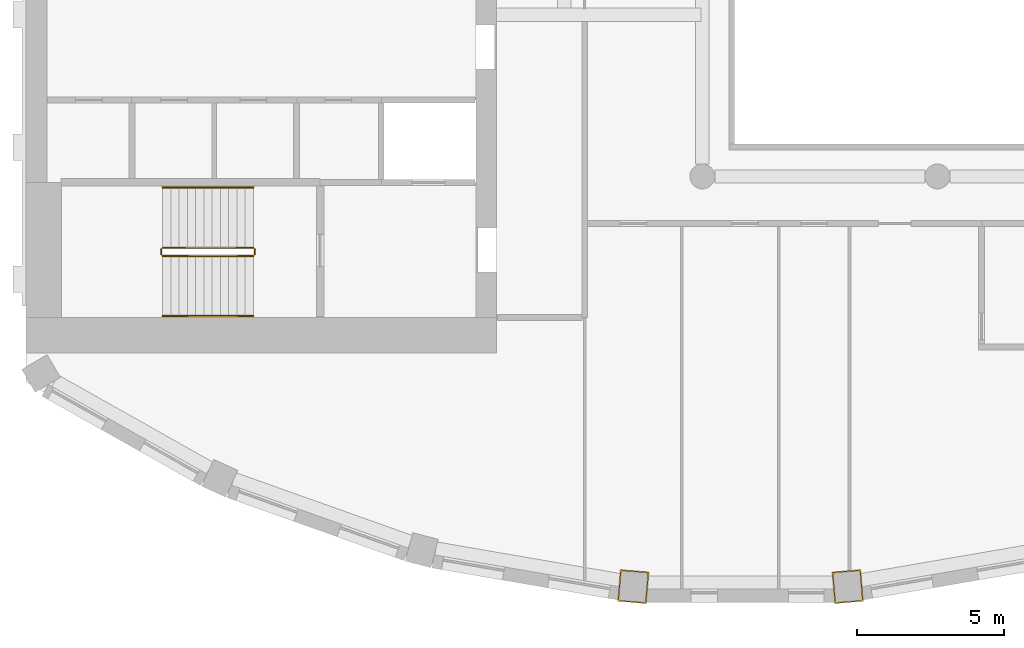
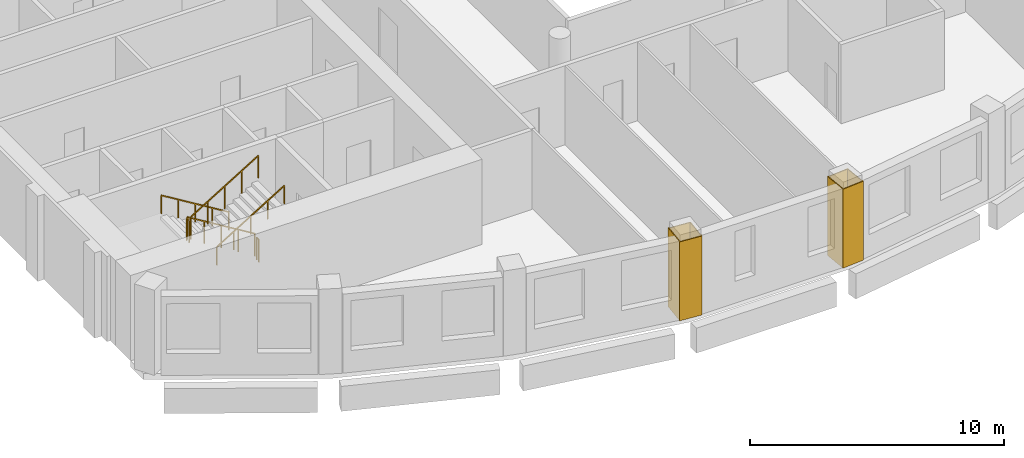
# One storey, part 10 of 14: 6 railings, 2 coverings.
"""IFC4 building model written with IfcOpenShell, lengths in metres."""

import ifcopenshell
import ifcopenshell.guid

model = None  # the IFC model being written
_history = None  # IfcOwnerHistory: only IFC2X3 demands one
_inside = {}  # id of a spatial element -> (the spatial element, [elements in it])
_under = {}  # id of a project, library or spatial element -> (it, [spatial elements below it])
_declared = {}  # id of a project -> (the project, [libraries it declares])
_typed = {}  # id of a type object -> (the type object, [elements of that type])
_made_of = {}  # id of a material, layer set ... -> (it, [elements and type objects made of it])


def new_model(schema):
    """Start an empty IFC model of exactly this schema.

    Asked for "IFC4X3", IfcOpenShell would pick the latest addendum, in which some entities
    have other attributes; the version numbers below select the first issue.
    IFC2X3 requires an IfcOwnerHistory on every rooted entity: one is made here for all.
    """
    global model, _history
    if schema == "IFC4X3":
        model = ifcopenshell.file(schema_version=(4, 3, 0, 0))
    else:
        model = ifcopenshell.file(schema=schema)
    _inside.clear()
    _under.clear()
    _declared.clear()
    _typed.clear()
    _made_of.clear()
    _history = None
    if model.schema == "IFC2X3":
        org = make("IfcOrganization", Name="unknown")
        user = make(
            "IfcPersonAndOrganization",
            ThePerson=make("IfcPerson", FamilyName="unknown"),
            TheOrganization=org,
        )
        app = make(
            "IfcApplication",
            ApplicationDeveloper=org,
            Version="unknown",
            ApplicationFullName="unknown",
            ApplicationIdentifier="unknown",
        )
        _history = make(
            "IfcOwnerHistory",
            OwningUser=user,
            OwningApplication=app,
            ChangeAction="ADDED",
            CreationDate=0,
        )
    return model


def make(cls, **values):
    """One entity of the class cls with the attributes given. An attribute that is None is left unset."""
    return model.create_entity(
        cls, **{name: value for name, value in values.items() if value is not None}
    )


def rooted(cls, **values):
    """An entity with a GlobalId (a new one), such as an element, a storey or a relation."""
    return make(cls, GlobalId=ifcopenshell.guid.new(), OwnerHistory=_history, **values)


def si_unit(unit_type, name, prefix=None):
    """IfcSIUnit, for example si_unit("LENGTHUNIT", "METRE", prefix="MILLI")."""
    return make("IfcSIUnit", UnitType=unit_type, Prefix=prefix, Name=name)


def assignment(units):
    """IfcUnitAssignment: the units of a project."""
    return None if units is None else make("IfcUnitAssignment", Units=units)


def point(xyz):
    """IfcCartesianPoint."""
    return None if xyz is None else make("IfcCartesianPoint", Coordinates=xyz)


def direction(xyz):
    """IfcDirection."""
    return None if xyz is None else make("IfcDirection", DirectionRatios=xyz)


def frame(location, z_axis=None, x_axis=None):
    """IfcAxis2Placement3D, a coordinate frame: its origin and axes. An axis left out is left unset."""
    return make(
        "IfcAxis2Placement3D",
        Location=point(location),
        Axis=direction(z_axis),
        RefDirection=direction(x_axis),
    )


def frame_2d(location, x_axis=None):
    """IfcAxis2Placement2D, a coordinate frame in the plane: its origin and x axis."""
    return make(
        "IfcAxis2Placement2D", Location=point(location), RefDirection=direction(x_axis)
    )


def origin():
    """The frame at (0, 0, 0) with its axes left unset."""
    return frame((0.0, 0.0, 0.0))


def origin_2d():
    """The frame at (0, 0) in the plane with its x axis left unset."""
    return frame_2d((0.0, 0.0))


def place(relative_to, where):
    """IfcLocalPlacement: puts the frame where relative to a parent placement (None: the world)."""
    return make(
        "IfcLocalPlacement", PlacementRelTo=relative_to, RelativePlacement=where
    )


def context(
    kind, dimensions, precision=None, world=None, true_north=None, identifier=None
):
    """IfcGeometricRepresentationContext, for example the 3D "Model" context."""
    return make(
        "IfcGeometricRepresentationContext",
        ContextIdentifier=identifier,
        ContextType=kind,
        CoordinateSpaceDimension=dimensions,
        Precision=precision,
        WorldCoordinateSystem=world,
        TrueNorth=true_north,
    )


def subcontext(parent, identifier, kind, view, scale=None):
    """IfcGeometricRepresentationSubContext, for example "Body" below "Model"."""
    return make(
        "IfcGeometricRepresentationSubContext",
        ContextIdentifier=identifier,
        ContextType=kind,
        ParentContext=parent,
        TargetScale=scale,
        TargetView=view,
    )


def project(units=None, contexts=None):
    """IfcProject with its units and contexts."""
    return rooted(
        "IfcProject",
        Name="project",
        RepresentationContexts=contexts,
        UnitsInContext=assignment(units),
    )


def spatial(cls, under=None, at=None, **own):
    """A site, building, storey or space (cls), placed at a placement, below another one or the project."""
    s = rooted(cls, ObjectPlacement=at, **own)
    if under is not None:
        _under.setdefault(under.id(), (under, []))[1].append(s)
    return s


def polyline(points):
    """IfcPolyline through the points."""
    return make("IfcPolyline", Points=[point(p) for p in points])


def profile(cls, at=None, kind="AREA", **sizes):
    """A parametric profile (cls). Its sizes go by their IFC names, for example OverallWidth=200.0."""
    return make(cls, ProfileType=kind, Position=at, **sizes)


def rectangle(**sizes):
    """IfcRectangleProfileDef."""
    return profile("IfcRectangleProfileDef", **sizes)


def outline(outer, holes=None, kind="AREA"):
    """IfcArbitraryClosedProfileDef: a profile drawn as a closed curve; with holes, ...WithVoids."""
    if holes is None:
        return make("IfcArbitraryClosedProfileDef", ProfileType=kind, OuterCurve=outer)
    return make(
        "IfcArbitraryProfileDefWithVoids",
        ProfileType=kind,
        OuterCurve=outer,
        InnerCurves=holes,
    )


def extrude(swept, where, along, depth):
    """IfcExtrudedAreaSolid: the profile swept, set in the frame where, extruded along a direction by depth."""
    return make(
        "IfcExtrudedAreaSolid",
        SweptArea=swept,
        Position=where,
        ExtrudedDirection=direction(along),
        Depth=depth,
    )


def shape(context_of_items, identifier, shape_type, items):
    """IfcShapeRepresentation: the items that make up one representation, for example the "Body"."""
    return make(
        "IfcShapeRepresentation",
        ContextOfItems=context_of_items,
        RepresentationIdentifier=identifier,
        RepresentationType=shape_type,
        Items=items,
    )


def material(Name=None, Category=None):
    """IfcMaterial."""
    return make("IfcMaterial", Name=Name, Category=Category)


def layer(
    of_material, thickness, ventilated=None, Name=None, Category=None, Priority=None
):
    """IfcMaterialLayer: one layer of a wall or slab, of a material (None: an air gap)."""
    return make(
        "IfcMaterialLayer",
        Material=of_material,
        LayerThickness=thickness,
        IsVentilated=ventilated,
        Name=Name,
        Category=Category,
        Priority=Priority,
    )


def layer_set(layers, Name=None):
    """IfcMaterialLayerSet."""
    return make("IfcMaterialLayerSet", MaterialLayers=layers, LayerSetName=Name)


def made_of(thing, what):
    """Note that an element or type object is made of a material, layer set ...; save() writes the relation."""
    if what is not None:
        _made_of.setdefault(what.id(), (what, []))[1].append(thing)
    return thing


def type_object(cls, material=None, **own):
    """A type object (cls), such as IfcWallType, which elements share."""
    return made_of(rooted(cls, **own), material)


def element(
    cls,
    number,
    at=None,
    inside=None,
    cuts=None,
    type_object=None,
    material=None,
    context=None,
    identifier="Body",
    shape_type=None,
    held_by="IfcProductDefinitionShape",
    body=None,
    shapes=None,
    **own,
):
    """One element of the class cls, such as IfcWall. Its Tag is "e" and its number.

    at: its placement. inside: the storey or other place that contains it. cuts: it is an
    opening in that element (IfcRelVoidsElement). A single representation is given by context,
    identifier, shape_type and body (its items); several are given by shapes. held_by: the class
    of the entity that holds the representations. save() writes the other relations.
    """
    e = rooted(cls, Tag="e%d" % number, ObjectPlacement=at, **own)
    if body is not None:
        shapes = [shape(context, identifier, shape_type, body)]
    if shapes is not None:
        e.Representation = make(held_by, Representations=shapes)
    if inside is not None:
        _inside.setdefault(inside.id(), (inside, []))[1].append(e)
    if cuts is not None:
        rooted(
            "IfcRelVoidsElement", RelatingBuildingElement=cuts, RelatedOpeningElement=e
        )
    if type_object is not None:
        _typed.setdefault(type_object.id(), (type_object, []))[1].append(e)
    return made_of(e, material)


def aggregate(whole, parts):
    """IfcRelAggregates: a whole, such as a stair, and the parts it consists of."""
    return rooted("IfcRelAggregates", RelatingObject=whole, RelatedObjects=parts)


def save(model, path):
    """Write the relations noted so far, then the file.

    IfcRelAggregates (storeys below a building ...), IfcRelContainedInSpatialStructure (elements
    in a storey), IfcRelDefinesByType, IfcRelAssociatesMaterial and IfcRelDeclares: one each for
    every whole, place, type object, material and project.
    """
    for whole, parts in _under.values():
        aggregate(whole, parts)
    for where, things in _inside.values():
        rooted(
            "IfcRelContainedInSpatialStructure",
            RelatedElements=things,
            RelatingStructure=where,
        )
    for kind, things in _typed.values():
        rooted("IfcRelDefinesByType", RelatedObjects=things, RelatingType=kind)
    for what, things in _made_of.values():
        rooted("IfcRelAssociatesMaterial", RelatedObjects=things, RelatingMaterial=what)
    for by, libraries in _declared.values():
        rooted("IfcRelDeclares", RelatingContext=by, RelatedDefinitions=libraries)
    model.write(path)


model = new_model("IFC4")

# Units and contexts
model_context = context("Model", 3, precision=1e-05, world=origin(), true_north=direction((0.0, 1.0)))
body_context = subcontext(model_context, "Body", "Model", "MODEL_VIEW")
ifc_project = project(units=[si_unit("LENGTHUNIT", "METRE"), si_unit("AREAUNIT", "SQUARE_METRE"), si_unit("VOLUMEUNIT", "CUBIC_METRE"), si_unit("PLANEANGLEUNIT", "RADIAN"), si_unit("MASSUNIT", "GRAM", prefix="KILO")], contexts=[model_context])

# Site, building, storey
site_placement = place(None, origin())
site = spatial("IfcSite", under=ifc_project, at=site_placement, CompositionType="ELEMENT")
building_placement = place(site_placement, origin())
building = spatial("IfcBuilding", under=site, at=building_placement, Name="Cypress Arch Tower", CompositionType="ELEMENT")
storey_placement = place(building_placement, frame((0.0, 0.0, 300.800048828125)))
storey = spatial("IfcBuildingStorey", under=building, at=storey_placement, Name="L68", CompositionType="ELEMENT", Elevation=300.800048828125)

# Coverings
ifc_material_1 = material(Name="Painted plasterboard column casing")
ifc_layer = layer(ifc_material_1, 0.0400390625)
ifc_layer_set = layer_set([ifc_layer], Name="Column casing CK40")
covering_type = type_object("IfcCoveringType", Name="Column casing CK40", PredefinedType="CLADDING", material=ifc_layer_set)
covering_1_placement = place(storey_placement, origin())
element("IfcCovering", 1, at=covering_1_placement, inside=storey, type_object=covering_type, Name="Column casing L68 CC14", PredefinedType="CLADDING", context=body_context, shape_type="SweptSolid", body=[
    extrude(outline(polyline([(-9.881103515625, -24.44970703125), (-9.789306640625, -23.373779296875), (-8.812744140625, -23.457275390625), (-8.90478515625, -24.533203125), (-9.881103515625, -24.44970703125)]), holes=[polyline([(-9.837890625, -24.413330078125), (-8.941162109375, -24.489990234375), (-8.85595703125, -23.49365234375), (-9.752685546875, -23.4169921875), (-9.837890625, -24.413330078125)])]), origin(), (0.0, 0.0, 1.0), 3.800048828125),
])
covering_2_placement = place(storey_placement, origin())
element("IfcCovering", 2, at=covering_2_placement, inside=storey, type_object=covering_type, Name="Column casing L68 CC15", PredefinedType="CLADDING", context=body_context, shape_type="SweptSolid", body=[
    extrude(outline(polyline([(-2.495361328125, -24.533203125), (-2.587158203125, -23.457275390625), (-1.61083984375, -23.373779296875), (-1.518798828125, -24.44970703125), (-2.495361328125, -24.533203125)]), holes=[polyline([(-2.458740234375, -24.489990234375), (-1.56201171875, -24.413330078125), (-1.647216796875, -23.4169921875), (-2.5439453125, -23.49365234375), (-2.458740234375, -24.489990234375)])]), origin(), (0.0, 0.0, 1.0), 3.800048828125),
])

# Railings
ifc_material_2 = material(Name="Black powder-coated steel square bar 48 mm", Category="steel")
railing_type_1 = type_object("IfcRailingType", Name="Stair handrail HR1", PredefinedType="HANDRAIL", material=ifc_material_2)
railing_1_placement = place(storey_placement, frame((-22.27490234375, -10.375, 0.1708984375)))
element("IfcRailing", 3, at=railing_1_placement, inside=storey, type_object=railing_type_1, Name="L68 A stair handrail 1", PredefinedType="HANDRAIL", context=body_context, shape_type="SweptSolid", body=[
    extrude(rectangle(XDim=0.048095703125, YDim=0.048095703125, at=origin_2d()), frame((0.0, 0.0, 0.8759765625), z_axis=(-0.853666305674, 0.0, 0.52082035152), x_axis=(0.0, -1.0, 0.0)), (0.0, 0.0, 1.0), 3.608154296875),
    extrude(rectangle(XDim=0.0419921875, YDim=0.0419921875, at=origin_2d()), origin(), (0.0, 0.0, 1.0), 0.851806640625),
    extrude(rectangle(XDim=0.0419921875, YDim=0.0419921875, at=origin_2d()), frame((-0.77001953125, 0.0, 0.4697265625)), (0.0, 0.0, 1.0), 0.851806640625),
    extrude(rectangle(XDim=0.0419921875, YDim=0.0419921875, at=origin_2d()), frame((-1.5400390625, 0.0, 0.939453125)), (0.0, 0.0, 1.0), 0.851806640625),
    extrude(rectangle(XDim=0.0419921875, YDim=0.0419921875, at=origin_2d()), frame((-2.31005859375, 0.0, 1.409423828125)), (0.0, 0.0, 1.0), 0.851806640625),
    extrude(rectangle(XDim=0.0419921875, YDim=0.0419921875, at=origin_2d()), frame((-3.080078125, 0.0, 1.879150390625)), (0.0, 0.0, 1.0), 0.851806640625),
])
railing_2_placement = place(storey_placement, frame((-25.35498046875, -14.75, 2.220703125)))
element("IfcRailing", 4, at=railing_2_placement, inside=storey, type_object=railing_type_1, Name="L68 A stair handrail 2", PredefinedType="HANDRAIL", context=body_context, shape_type="SweptSolid", body=[
    extrude(rectangle(XDim=0.048095703125, YDim=0.048095703125, at=origin_2d()), frame((0.0, 0.0, 0.8759765625), z_axis=(0.853666305674, 0.0, 0.52082035152), x_axis=(0.0, 1.0, 0.0)), (0.0, 0.0, 1.0), 3.608154296875),
    extrude(rectangle(XDim=0.0419921875, YDim=0.0419921875, at=origin_2d()), origin(), (0.0, 0.0, 1.0), 0.851806640625),
    extrude(rectangle(XDim=0.0419921875, YDim=0.0419921875, at=origin_2d()), frame((0.77001953125, 0.0, 0.4697265625)), (0.0, 0.0, 1.0), 0.851806640625),
    extrude(rectangle(XDim=0.0419921875, YDim=0.0419921875, at=origin_2d()), frame((1.5400390625, 0.0, 0.939453125)), (0.0, 0.0, 1.0), 0.851806640625),
    extrude(rectangle(XDim=0.0419921875, YDim=0.0419921875, at=origin_2d()), frame((2.31005859375, 0.0, 1.409423828125)), (0.0, 0.0, 1.0), 0.851806640625),
    extrude(rectangle(XDim=0.0419921875, YDim=0.0419921875, at=origin_2d()), frame((3.080078125, 0.0, 1.879150390625)), (0.0, 0.0, 1.0), 0.851806640625),
])
ifc_material_3 = material(Name="Black powder-coated steel balusters", Category="steel")
railing_type_2 = type_object("IfcRailingType", Name="Stair well guard G1", PredefinedType="GUARDRAIL", material=ifc_material_3)
railing_3_placement = place(storey_placement, frame((-22.27490234375, -12.425048828125, 0.1708984375)))
element("IfcRailing", 5, at=railing_3_placement, inside=storey, type_object=railing_type_2, Name="L68 A stair guard 1", PredefinedType="GUARDRAIL", context=body_context, shape_type="SweptSolid", body=[
    extrude(rectangle(XDim=0.048095703125, YDim=0.048095703125, at=origin_2d()), frame((0.0, 0.0, 1.076171875), z_axis=(-0.853666305674, 0.0, 0.52082035152), x_axis=(0.0, -1.0, 0.0)), (0.0, 0.0, 1.0), 3.608154296875),
    extrude(rectangle(XDim=0.0419921875, YDim=0.0419921875, at=origin_2d()), origin(), (0.0, 0.0, 1.0), 1.052001953125),
    extrude(rectangle(XDim=0.0419921875, YDim=0.0419921875, at=origin_2d()), frame((-0.77001953125, 0.0, 0.4697265625)), (0.0, 0.0, 1.0), 1.052001953125),
    extrude(rectangle(XDim=0.0419921875, YDim=0.0419921875, at=origin_2d()), frame((-1.5400390625, 0.0, 0.939453125)), (0.0, 0.0, 1.0), 1.052001953125),
    extrude(rectangle(XDim=0.0419921875, YDim=0.0419921875, at=origin_2d()), frame((-2.31005859375, 0.0, 1.409423828125)), (0.0, 0.0, 1.0), 1.052001953125),
    extrude(rectangle(XDim=0.0419921875, YDim=0.0419921875, at=origin_2d()), frame((-3.080078125, 0.0, 1.879150390625)), (0.0, 0.0, 1.0), 1.052001953125),
])
railing_4_placement = place(storey_placement, frame((-25.405029296875, -12.47509765625, 2.050048828125)))
element("IfcRailing", 6, at=railing_4_placement, inside=storey, type_object=railing_type_2, Name="L68 A stair guard 2", PredefinedType="GUARDRAIL", context=body_context, shape_type="SweptSolid", body=[
    extrude(rectangle(XDim=0.048095703125, YDim=0.048095703125, at=origin_2d()), frame((0.0, 0.0, 1.076171875), z_axis=(0.0, -1.0, 0.0), x_axis=(1.0, 0.0, 0.0)), (0.0, 0.0, 1.0), 0.1748046875),
    extrude(rectangle(XDim=0.0419921875, YDim=0.0419921875, at=origin_2d()), origin(), (0.0, 0.0, 1.0), 1.052001953125),
    extrude(rectangle(XDim=0.0419921875, YDim=0.0419921875, at=origin_2d()), frame((0.0, -0.1748046875, 0.0)), (0.0, 0.0, 1.0), 1.052001953125),
])
railing_5_placement = place(storey_placement, frame((-25.35498046875, -12.699951171875, 2.220703125)))
element("IfcRailing", 7, at=railing_5_placement, inside=storey, type_object=railing_type_2, Name="L68 A stair guard 3", PredefinedType="GUARDRAIL", context=body_context, shape_type="SweptSolid", body=[
    extrude(rectangle(XDim=0.048095703125, YDim=0.048095703125, at=origin_2d()), frame((0.0, 0.0, 1.076171875), z_axis=(0.853666305674, 0.0, 0.52082035152), x_axis=(0.0, 1.0, 0.0)), (0.0, 0.0, 1.0), 3.608154296875),
    extrude(rectangle(XDim=0.0419921875, YDim=0.0419921875, at=origin_2d()), origin(), (0.0, 0.0, 1.0), 1.052001953125),
    extrude(rectangle(XDim=0.0419921875, YDim=0.0419921875, at=origin_2d()), frame((0.77001953125, 0.0, 0.4697265625)), (0.0, 0.0, 1.0), 1.052001953125),
    extrude(rectangle(XDim=0.0419921875, YDim=0.0419921875, at=origin_2d()), frame((1.5400390625, 0.0, 0.939453125)), (0.0, 0.0, 1.0), 1.052001953125),
    extrude(rectangle(XDim=0.0419921875, YDim=0.0419921875, at=origin_2d()), frame((2.31005859375, 0.0, 1.409423828125)), (0.0, 0.0, 1.0), 1.052001953125),
    extrude(rectangle(XDim=0.0419921875, YDim=0.0419921875, at=origin_2d()), frame((3.080078125, 0.0, 1.879150390625)), (0.0, 0.0, 1.0), 1.052001953125),
])
railing_6_placement = place(storey_placement, frame((-22.22509765625, -12.47509765625, 0.0)))
element("IfcRailing", 8, at=railing_6_placement, inside=storey, type_object=railing_type_2, Name="L68 A stair guard 4", PredefinedType="GUARDRAIL", context=body_context, shape_type="SweptSolid", body=[
    extrude(rectangle(XDim=0.048095703125, YDim=0.048095703125, at=origin_2d()), frame((0.0, 0.0, 1.076171875), z_axis=(0.0, -1.0, 0.0), x_axis=(1.0, 0.0, 0.0)), (0.0, 0.0, 1.0), 0.1748046875),
    extrude(rectangle(XDim=0.0419921875, YDim=0.0419921875, at=origin_2d()), origin(), (0.0, 0.0, 1.0), 1.052001953125),
    extrude(rectangle(XDim=0.0419921875, YDim=0.0419921875, at=origin_2d()), frame((0.0, -0.1748046875, 0.0)), (0.0, 0.0, 1.0), 1.052001953125),
])

save(model, "model.ifc")
